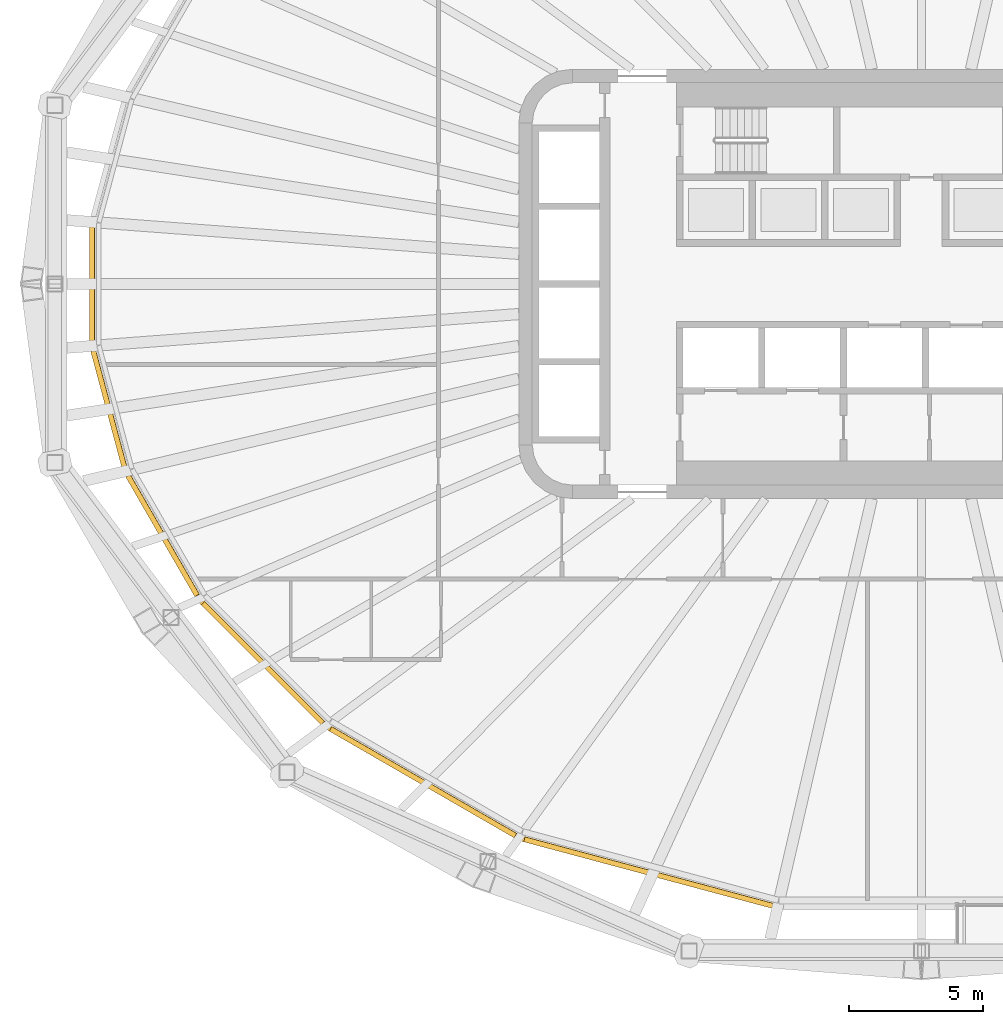
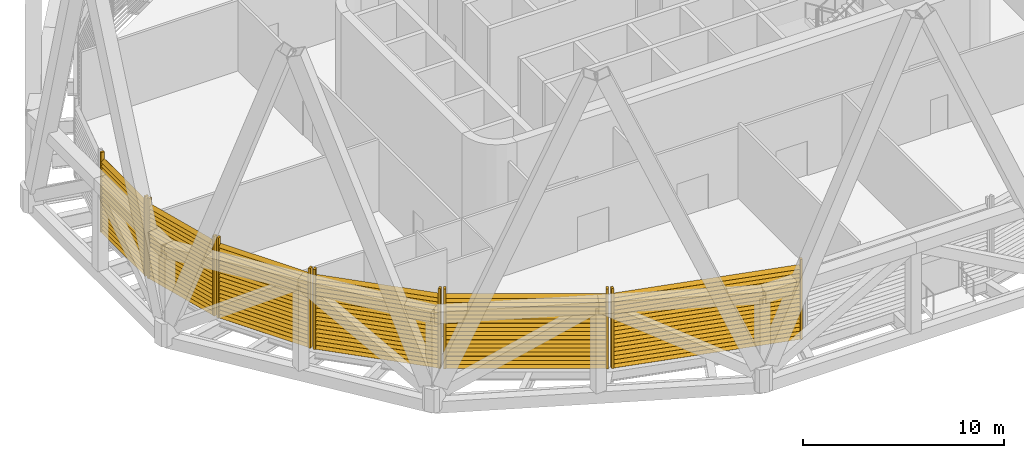
# One storey, part 12 of 18: 6 shading devices.
"""IFC4 building model written with IfcOpenShell, lengths in metres."""

from ifc_helpers import new_model, si_unit, direction, frame, origin, origin_2d, place, context, subcontext, project, spatial, rectangle, extrude, material, type_object, element, save


model = new_model("IFC4")

# Units and contexts
model_context = context("Model", 3, precision=1e-05, world=origin(), true_north=direction((0.0, 1.0)))
body_context = subcontext(model_context, "Body", "Model", "MODEL_VIEW")
ifc_project = project(units=[si_unit("LENGTHUNIT", "METRE"), si_unit("AREAUNIT", "SQUARE_METRE"), si_unit("VOLUMEUNIT", "CUBIC_METRE"), si_unit("PLANEANGLEUNIT", "RADIAN"), si_unit("MASSUNIT", "GRAM", prefix="KILO")], contexts=[model_context])

# Site, building, storey
site_placement = place(None, origin())
site = spatial("IfcSite", under=ifc_project, at=site_placement, CompositionType="ELEMENT")
building_placement = place(site_placement, origin())
building = spatial("IfcBuilding", under=site, at=building_placement, Name="Sahrelin Media Tower", CompositionType="ELEMENT")
storey_placement = place(building_placement, frame((0.0, 0.0, 197.60009765625)))
storey = spatial("IfcBuildingStorey", under=building, at=storey_placement, Name="L42", CompositionType="ELEMENT", Elevation=197.60009765625)

# Shading devices
ifc_material = material(Name="Champagne anodised aluminium 6063-T6", Category="aluminium")
shading_device_type = type_object("IfcShadingDeviceType", Name="Sand-rejection louvre band", PredefinedType="USERDEFINED", material=ifc_material)
shading_device_1_placement = place(storey_placement, frame((-30.7998046875, 0.0, 0.0), z_axis=(0.0, 0.0, 1.0), x_axis=(0.0, 1.0, 0.0)))
element("IfcShadingDevice", 1, at=shading_device_1_placement, inside=storey, type_object=shading_device_type, Name="L42:LOUVRE:L42-12", ObjectType="LOUVRE", PredefinedType="USERDEFINED", context=body_context, shape_type="SweptSolid", body=[
    extrude(rectangle(XDim=0.1201171875, YDim=0.199951171875, at=origin_2d()), frame((2.19189453125, 0.10009765625, 0.050048828125), z_axis=(0.0, 0.0, 1.0), x_axis=(1.0, 0.0, 0.0)), (0.0, 0.0, 1.0), 4.8486328125),
    extrude(rectangle(XDim=0.1201171875, YDim=0.199951171875, at=origin_2d()), frame((-2.19189453125, 0.10009765625, 0.050048828125), z_axis=(0.0, 0.0, 1.0), x_axis=(1.0, 0.0, 0.0)), (0.0, 0.0, 1.0), 4.8486328125),
    extrude(rectangle(XDim=0.25, YDim=0.02001953125, at=origin_2d()), frame((2.1318359375, 0.10009765625, 0.14990234375), z_axis=(-1.0, 0.0, 0.0), x_axis=(0.0, -0.766044443119, 0.642787609687)), (0.0, 0.0, 1.0), 4.263671875),
    extrude(rectangle(XDim=0.25, YDim=0.02001953125, at=origin_2d()), frame((2.1318359375, 0.10009765625, 0.39990234375), z_axis=(-1.0, 0.0, 0.0), x_axis=(0.0, -0.766044443119, 0.642787609687)), (0.0, 0.0, 1.0), 4.263671875),
    extrude(rectangle(XDim=0.25, YDim=0.02001953125, at=origin_2d()), frame((2.1318359375, 0.10009765625, 0.64990234375), z_axis=(-1.0, 0.0, 0.0), x_axis=(0.0, -0.766044443119, 0.642787609687)), (0.0, 0.0, 1.0), 4.263671875),
    extrude(rectangle(XDim=0.25, YDim=0.02001953125, at=origin_2d()), frame((2.1318359375, 0.10009765625, 0.89990234375), z_axis=(-1.0, 0.0, 0.0), x_axis=(0.0, -0.766044443119, 0.642787609687)), (0.0, 0.0, 1.0), 4.263671875),
    extrude(rectangle(XDim=0.25, YDim=0.02001953125, at=origin_2d()), frame((2.1318359375, 0.10009765625, 1.14990234375), z_axis=(-1.0, 0.0, 0.0), x_axis=(0.0, -0.766044443119, 0.642787609687)), (0.0, 0.0, 1.0), 4.263671875),
    extrude(rectangle(XDim=0.25, YDim=0.02001953125, at=origin_2d()), frame((2.1318359375, 0.10009765625, 1.39990234375), z_axis=(-1.0, 0.0, 0.0), x_axis=(0.0, -0.766044443119, 0.642787609687)), (0.0, 0.0, 1.0), 4.263671875),
    extrude(rectangle(XDim=0.25, YDim=0.02001953125, at=origin_2d()), frame((2.1318359375, 0.10009765625, 1.64990234375), z_axis=(-1.0, 0.0, 0.0), x_axis=(0.0, -0.766044443119, 0.642787609687)), (0.0, 0.0, 1.0), 4.263671875),
    extrude(rectangle(XDim=0.25, YDim=0.02001953125, at=origin_2d()), frame((2.1318359375, 0.10009765625, 1.89990234375), z_axis=(-1.0, 0.0, 0.0), x_axis=(0.0, -0.766044443119, 0.642787609687)), (0.0, 0.0, 1.0), 4.263671875),
    extrude(rectangle(XDim=0.25, YDim=0.02001953125, at=origin_2d()), frame((2.1318359375, 0.10009765625, 2.14990234375), z_axis=(-1.0, 0.0, 0.0), x_axis=(0.0, -0.766044443119, 0.642787609687)), (0.0, 0.0, 1.0), 4.263671875),
    extrude(rectangle(XDim=0.25, YDim=0.02001953125, at=origin_2d()), frame((2.1318359375, 0.10009765625, 2.39990234375), z_axis=(-1.0, 0.0, 0.0), x_axis=(0.0, -0.766044443119, 0.642787609687)), (0.0, 0.0, 1.0), 4.263671875),
    extrude(rectangle(XDim=0.25, YDim=0.02001953125, at=origin_2d()), frame((2.1318359375, 0.10009765625, 2.64990234375), z_axis=(-1.0, 0.0, 0.0), x_axis=(0.0, -0.766044443119, 0.642787609687)), (0.0, 0.0, 1.0), 4.263671875),
    extrude(rectangle(XDim=0.25, YDim=0.02001953125, at=origin_2d()), frame((2.1318359375, 0.10009765625, 2.89990234375), z_axis=(-1.0, 0.0, 0.0), x_axis=(0.0, -0.766044443119, 0.642787609687)), (0.0, 0.0, 1.0), 4.263671875),
    extrude(rectangle(XDim=0.25, YDim=0.02001953125, at=origin_2d()), frame((2.1318359375, 0.10009765625, 3.14990234375), z_axis=(-1.0, 0.0, 0.0), x_axis=(0.0, -0.766044443119, 0.642787609687)), (0.0, 0.0, 1.0), 4.263671875),
    extrude(rectangle(XDim=0.25, YDim=0.02001953125, at=origin_2d()), frame((2.1318359375, 0.10009765625, 3.39990234375), z_axis=(-1.0, 0.0, 0.0), x_axis=(0.0, -0.766044443119, 0.642787609687)), (0.0, 0.0, 1.0), 4.263671875),
    extrude(rectangle(XDim=0.25, YDim=0.02001953125, at=origin_2d()), frame((2.1318359375, 0.10009765625, 3.64990234375), z_axis=(-1.0, 0.0, 0.0), x_axis=(0.0, -0.766044443119, 0.642787609687)), (0.0, 0.0, 1.0), 4.263671875),
    extrude(rectangle(XDim=0.25, YDim=0.02001953125, at=origin_2d()), frame((2.1318359375, 0.10009765625, 3.89990234375), z_axis=(-1.0, 0.0, 0.0), x_axis=(0.0, -0.766044443119, 0.642787609687)), (0.0, 0.0, 1.0), 4.263671875),
    extrude(rectangle(XDim=0.25, YDim=0.02001953125, at=origin_2d()), frame((2.1318359375, 0.10009765625, 4.14990234375), z_axis=(-1.0, 0.0, 0.0), x_axis=(0.0, -0.766044443119, 0.642787609687)), (0.0, 0.0, 1.0), 4.263671875),
    extrude(rectangle(XDim=0.25, YDim=0.02001953125, at=origin_2d()), frame((2.1318359375, 0.10009765625, 4.39990234375), z_axis=(-1.0, 0.0, 0.0), x_axis=(0.0, -0.766044443119, 0.642787609687)), (0.0, 0.0, 1.0), 4.263671875),
])
shading_device_2_placement = place(storey_placement, frame((-30.176513671875, -4.627197265625, 0.0), z_axis=(0.0, 0.0, 1.0), x_axis=(-0.258807731996, 0.965928857556, 0.0)))
element("IfcShadingDevice", 2, at=shading_device_2_placement, inside=storey, type_object=shading_device_type, Name="L42:LOUVRE:L42-13", ObjectType="LOUVRE", PredefinedType="USERDEFINED", context=body_context, shape_type="SweptSolid", body=[
    extrude(rectangle(XDim=0.1201171875, YDim=0.199951171875, at=origin_2d()), frame((2.29736328125, 0.10009765625, 0.050048828125), z_axis=(0.0, 0.0, 1.0), x_axis=(1.0, 0.0, 0.0)), (0.0, 0.0, 1.0), 4.8486328125),
    extrude(rectangle(XDim=0.1201171875, YDim=0.199951171875, at=origin_2d()), frame((-2.29736328125, 0.10009765625, 0.050048828125), z_axis=(0.0, 0.0, 1.0), x_axis=(1.0, 0.0, 0.0)), (0.0, 0.0, 1.0), 4.8486328125),
    extrude(rectangle(XDim=0.25, YDim=0.02001953125, at=origin_2d()), frame((2.2373046875, 0.10009765625, 0.14990234375), z_axis=(-1.0, 0.0, 0.0), x_axis=(0.0, -0.766044443119, 0.642787609687)), (0.0, 0.0, 1.0), 4.474609375),
    extrude(rectangle(XDim=0.25, YDim=0.02001953125, at=origin_2d()), frame((2.2373046875, 0.10009765625, 0.39990234375), z_axis=(-1.0, 0.0, 0.0), x_axis=(0.0, -0.766044443119, 0.642787609687)), (0.0, 0.0, 1.0), 4.474609375),
    extrude(rectangle(XDim=0.25, YDim=0.02001953125, at=origin_2d()), frame((2.2373046875, 0.10009765625, 0.64990234375), z_axis=(-1.0, 0.0, 0.0), x_axis=(0.0, -0.766044443119, 0.642787609687)), (0.0, 0.0, 1.0), 4.474609375),
    extrude(rectangle(XDim=0.25, YDim=0.02001953125, at=origin_2d()), frame((2.2373046875, 0.10009765625, 0.89990234375), z_axis=(-1.0, 0.0, 0.0), x_axis=(0.0, -0.766044443119, 0.642787609687)), (0.0, 0.0, 1.0), 4.474609375),
    extrude(rectangle(XDim=0.25, YDim=0.02001953125, at=origin_2d()), frame((2.2373046875, 0.10009765625, 1.14990234375), z_axis=(-1.0, 0.0, 0.0), x_axis=(0.0, -0.766044443119, 0.642787609687)), (0.0, 0.0, 1.0), 4.474609375),
    extrude(rectangle(XDim=0.25, YDim=0.02001953125, at=origin_2d()), frame((2.2373046875, 0.10009765625, 1.39990234375), z_axis=(-1.0, 0.0, 0.0), x_axis=(0.0, -0.766044443119, 0.642787609687)), (0.0, 0.0, 1.0), 4.474609375),
    extrude(rectangle(XDim=0.25, YDim=0.02001953125, at=origin_2d()), frame((2.2373046875, 0.10009765625, 1.64990234375), z_axis=(-1.0, 0.0, 0.0), x_axis=(0.0, -0.766044443119, 0.642787609687)), (0.0, 0.0, 1.0), 4.474609375),
    extrude(rectangle(XDim=0.25, YDim=0.02001953125, at=origin_2d()), frame((2.2373046875, 0.10009765625, 1.89990234375), z_axis=(-1.0, 0.0, 0.0), x_axis=(0.0, -0.766044443119, 0.642787609687)), (0.0, 0.0, 1.0), 4.474609375),
    extrude(rectangle(XDim=0.25, YDim=0.02001953125, at=origin_2d()), frame((2.2373046875, 0.10009765625, 2.14990234375), z_axis=(-1.0, 0.0, 0.0), x_axis=(0.0, -0.766044443119, 0.642787609687)), (0.0, 0.0, 1.0), 4.474609375),
    extrude(rectangle(XDim=0.25, YDim=0.02001953125, at=origin_2d()), frame((2.2373046875, 0.10009765625, 2.39990234375), z_axis=(-1.0, 0.0, 0.0), x_axis=(0.0, -0.766044443119, 0.642787609687)), (0.0, 0.0, 1.0), 4.474609375),
    extrude(rectangle(XDim=0.25, YDim=0.02001953125, at=origin_2d()), frame((2.2373046875, 0.10009765625, 2.64990234375), z_axis=(-1.0, 0.0, 0.0), x_axis=(0.0, -0.766044443119, 0.642787609687)), (0.0, 0.0, 1.0), 4.474609375),
    extrude(rectangle(XDim=0.25, YDim=0.02001953125, at=origin_2d()), frame((2.2373046875, 0.10009765625, 2.89990234375), z_axis=(-1.0, 0.0, 0.0), x_axis=(0.0, -0.766044443119, 0.642787609687)), (0.0, 0.0, 1.0), 4.474609375),
    extrude(rectangle(XDim=0.25, YDim=0.02001953125, at=origin_2d()), frame((2.2373046875, 0.10009765625, 3.14990234375), z_axis=(-1.0, 0.0, 0.0), x_axis=(0.0, -0.766044443119, 0.642787609687)), (0.0, 0.0, 1.0), 4.474609375),
    extrude(rectangle(XDim=0.25, YDim=0.02001953125, at=origin_2d()), frame((2.2373046875, 0.10009765625, 3.39990234375), z_axis=(-1.0, 0.0, 0.0), x_axis=(0.0, -0.766044443119, 0.642787609687)), (0.0, 0.0, 1.0), 4.474609375),
    extrude(rectangle(XDim=0.25, YDim=0.02001953125, at=origin_2d()), frame((2.2373046875, 0.10009765625, 3.64990234375), z_axis=(-1.0, 0.0, 0.0), x_axis=(0.0, -0.766044443119, 0.642787609687)), (0.0, 0.0, 1.0), 4.474609375),
    extrude(rectangle(XDim=0.25, YDim=0.02001953125, at=origin_2d()), frame((2.2373046875, 0.10009765625, 3.89990234375), z_axis=(-1.0, 0.0, 0.0), x_axis=(0.0, -0.766044443119, 0.642787609687)), (0.0, 0.0, 1.0), 4.474609375),
    extrude(rectangle(XDim=0.25, YDim=0.02001953125, at=origin_2d()), frame((2.2373046875, 0.10009765625, 4.14990234375), z_axis=(-1.0, 0.0, 0.0), x_axis=(0.0, -0.766044443119, 0.642787609687)), (0.0, 0.0, 1.0), 4.474609375),
    extrude(rectangle(XDim=0.25, YDim=0.02001953125, at=origin_2d()), frame((2.2373046875, 0.10009765625, 4.39990234375), z_axis=(-1.0, 0.0, 0.0), x_axis=(0.0, -0.766044443119, 0.642787609687)), (0.0, 0.0, 1.0), 4.474609375),
])
shading_device_3_placement = place(storey_placement, frame((-28.18408203125, -9.32470703125, 0.0), z_axis=(0.0, 0.0, 1.0), x_axis=(-0.500011000363, 0.866019052629, 0.0)))
element("IfcShadingDevice", 3, at=shading_device_3_placement, inside=storey, type_object=shading_device_type, Name="L42:LOUVRE:L42-14", ObjectType="LOUVRE", PredefinedType="USERDEFINED", context=body_context, shape_type="SweptSolid", body=[
    extrude(rectangle(XDim=0.1201171875, YDim=0.199951171875, at=origin_2d()), frame((2.62890625, 0.10009765625, 0.050048828125), z_axis=(0.0, 0.0, 1.0), x_axis=(1.0, 0.0, 0.0)), (0.0, 0.0, 1.0), 4.8486328125),
    extrude(rectangle(XDim=0.1201171875, YDim=0.199951171875, at=origin_2d()), frame((-2.62890625, 0.10009765625, 0.050048828125), z_axis=(0.0, 0.0, 1.0), x_axis=(1.0, 0.0, 0.0)), (0.0, 0.0, 1.0), 4.8486328125),
    extrude(rectangle(XDim=0.25, YDim=0.02001953125, at=origin_2d()), frame((2.569091796875, 0.10009765625, 0.14990234375), z_axis=(-1.0, 0.0, 0.0), x_axis=(0.0, -0.766044443119, 0.642787609687)), (0.0, 0.0, 1.0), 5.13818359375),
    extrude(rectangle(XDim=0.25, YDim=0.02001953125, at=origin_2d()), frame((2.569091796875, 0.10009765625, 0.39990234375), z_axis=(-1.0, 0.0, 0.0), x_axis=(0.0, -0.766044443119, 0.642787609687)), (0.0, 0.0, 1.0), 5.13818359375),
    extrude(rectangle(XDim=0.25, YDim=0.02001953125, at=origin_2d()), frame((2.569091796875, 0.10009765625, 0.64990234375), z_axis=(-1.0, 0.0, 0.0), x_axis=(0.0, -0.766044443119, 0.642787609687)), (0.0, 0.0, 1.0), 5.13818359375),
    extrude(rectangle(XDim=0.25, YDim=0.02001953125, at=origin_2d()), frame((2.569091796875, 0.10009765625, 0.89990234375), z_axis=(-1.0, 0.0, 0.0), x_axis=(0.0, -0.766044443119, 0.642787609687)), (0.0, 0.0, 1.0), 5.13818359375),
    extrude(rectangle(XDim=0.25, YDim=0.02001953125, at=origin_2d()), frame((2.569091796875, 0.10009765625, 1.14990234375), z_axis=(-1.0, 0.0, 0.0), x_axis=(0.0, -0.766044443119, 0.642787609687)), (0.0, 0.0, 1.0), 5.13818359375),
    extrude(rectangle(XDim=0.25, YDim=0.02001953125, at=origin_2d()), frame((2.569091796875, 0.10009765625, 1.39990234375), z_axis=(-1.0, 0.0, 0.0), x_axis=(0.0, -0.766044443119, 0.642787609687)), (0.0, 0.0, 1.0), 5.13818359375),
    extrude(rectangle(XDim=0.25, YDim=0.02001953125, at=origin_2d()), frame((2.569091796875, 0.10009765625, 1.64990234375), z_axis=(-1.0, 0.0, 0.0), x_axis=(0.0, -0.766044443119, 0.642787609687)), (0.0, 0.0, 1.0), 5.13818359375),
    extrude(rectangle(XDim=0.25, YDim=0.02001953125, at=origin_2d()), frame((2.569091796875, 0.10009765625, 1.89990234375), z_axis=(-1.0, 0.0, 0.0), x_axis=(0.0, -0.766044443119, 0.642787609687)), (0.0, 0.0, 1.0), 5.13818359375),
    extrude(rectangle(XDim=0.25, YDim=0.02001953125, at=origin_2d()), frame((2.569091796875, 0.10009765625, 2.14990234375), z_axis=(-1.0, 0.0, 0.0), x_axis=(0.0, -0.766044443119, 0.642787609687)), (0.0, 0.0, 1.0), 5.13818359375),
    extrude(rectangle(XDim=0.25, YDim=0.02001953125, at=origin_2d()), frame((2.569091796875, 0.10009765625, 2.39990234375), z_axis=(-1.0, 0.0, 0.0), x_axis=(0.0, -0.766044443119, 0.642787609687)), (0.0, 0.0, 1.0), 5.13818359375),
    extrude(rectangle(XDim=0.25, YDim=0.02001953125, at=origin_2d()), frame((2.569091796875, 0.10009765625, 2.64990234375), z_axis=(-1.0, 0.0, 0.0), x_axis=(0.0, -0.766044443119, 0.642787609687)), (0.0, 0.0, 1.0), 5.13818359375),
    extrude(rectangle(XDim=0.25, YDim=0.02001953125, at=origin_2d()), frame((2.569091796875, 0.10009765625, 2.89990234375), z_axis=(-1.0, 0.0, 0.0), x_axis=(0.0, -0.766044443119, 0.642787609687)), (0.0, 0.0, 1.0), 5.13818359375),
    extrude(rectangle(XDim=0.25, YDim=0.02001953125, at=origin_2d()), frame((2.569091796875, 0.10009765625, 3.14990234375), z_axis=(-1.0, 0.0, 0.0), x_axis=(0.0, -0.766044443119, 0.642787609687)), (0.0, 0.0, 1.0), 5.13818359375),
    extrude(rectangle(XDim=0.25, YDim=0.02001953125, at=origin_2d()), frame((2.569091796875, 0.10009765625, 3.39990234375), z_axis=(-1.0, 0.0, 0.0), x_axis=(0.0, -0.766044443119, 0.642787609687)), (0.0, 0.0, 1.0), 5.13818359375),
    extrude(rectangle(XDim=0.25, YDim=0.02001953125, at=origin_2d()), frame((2.569091796875, 0.10009765625, 3.64990234375), z_axis=(-1.0, 0.0, 0.0), x_axis=(0.0, -0.766044443119, 0.642787609687)), (0.0, 0.0, 1.0), 5.13818359375),
    extrude(rectangle(XDim=0.25, YDim=0.02001953125, at=origin_2d()), frame((2.569091796875, 0.10009765625, 3.89990234375), z_axis=(-1.0, 0.0, 0.0), x_axis=(0.0, -0.766044443119, 0.642787609687)), (0.0, 0.0, 1.0), 5.13818359375),
    extrude(rectangle(XDim=0.25, YDim=0.02001953125, at=origin_2d()), frame((2.569091796875, 0.10009765625, 4.14990234375), z_axis=(-1.0, 0.0, 0.0), x_axis=(0.0, -0.766044443119, 0.642787609687)), (0.0, 0.0, 1.0), 5.13818359375),
    extrude(rectangle(XDim=0.25, YDim=0.02001953125, at=origin_2d()), frame((2.569091796875, 0.10009765625, 4.39990234375), z_axis=(-1.0, 0.0, 0.0), x_axis=(0.0, -0.766044443119, 0.642787609687)), (0.0, 0.0, 1.0), 5.13818359375),
])
shading_device_4_placement = place(storey_placement, frame((-24.4619140625, -14.04931640625, 0.0), z_axis=(0.0, 0.0, 1.0), x_axis=(-0.707106781187, 0.707106781187, 0.0)))
element("IfcShadingDevice", 4, at=shading_device_4_placement, inside=storey, type_object=shading_device_type, Name="L42:LOUVRE:L42-15", ObjectType="LOUVRE", PredefinedType="USERDEFINED", context=body_context, shape_type="SweptSolid", body=[
    extrude(rectangle(XDim=0.1201171875, YDim=0.199951171875, at=origin_2d()), frame((3.21728515625, 0.10009765625, 0.050048828125), z_axis=(0.0, 0.0, 1.0), x_axis=(1.0, 0.0, 0.0)), (0.0, 0.0, 1.0), 4.8486328125),
    extrude(rectangle(XDim=0.1201171875, YDim=0.199951171875, at=origin_2d()), frame((-3.21728515625, 0.10009765625, 0.050048828125), z_axis=(0.0, 0.0, 1.0), x_axis=(1.0, 0.0, 0.0)), (0.0, 0.0, 1.0), 4.8486328125),
    extrude(rectangle(XDim=0.25, YDim=0.02001953125, at=origin_2d()), frame((3.1572265625, 0.10009765625, 0.14990234375), z_axis=(-1.0, 0.0, 0.0), x_axis=(0.0, -0.766044443119, 0.642787609687)), (0.0, 0.0, 1.0), 6.314453125),
    extrude(rectangle(XDim=0.25, YDim=0.02001953125, at=origin_2d()), frame((3.1572265625, 0.10009765625, 0.39990234375), z_axis=(-1.0, 0.0, 0.0), x_axis=(0.0, -0.766044443119, 0.642787609687)), (0.0, 0.0, 1.0), 6.314453125),
    extrude(rectangle(XDim=0.25, YDim=0.02001953125, at=origin_2d()), frame((3.1572265625, 0.10009765625, 0.64990234375), z_axis=(-1.0, 0.0, 0.0), x_axis=(0.0, -0.766044443119, 0.642787609687)), (0.0, 0.0, 1.0), 6.314453125),
    extrude(rectangle(XDim=0.25, YDim=0.02001953125, at=origin_2d()), frame((3.1572265625, 0.10009765625, 0.89990234375), z_axis=(-1.0, 0.0, 0.0), x_axis=(0.0, -0.766044443119, 0.642787609687)), (0.0, 0.0, 1.0), 6.314453125),
    extrude(rectangle(XDim=0.25, YDim=0.02001953125, at=origin_2d()), frame((3.1572265625, 0.10009765625, 1.14990234375), z_axis=(-1.0, 0.0, 0.0), x_axis=(0.0, -0.766044443119, 0.642787609687)), (0.0, 0.0, 1.0), 6.314453125),
    extrude(rectangle(XDim=0.25, YDim=0.02001953125, at=origin_2d()), frame((3.1572265625, 0.10009765625, 1.39990234375), z_axis=(-1.0, 0.0, 0.0), x_axis=(0.0, -0.766044443119, 0.642787609687)), (0.0, 0.0, 1.0), 6.314453125),
    extrude(rectangle(XDim=0.25, YDim=0.02001953125, at=origin_2d()), frame((3.1572265625, 0.10009765625, 1.64990234375), z_axis=(-1.0, 0.0, 0.0), x_axis=(0.0, -0.766044443119, 0.642787609687)), (0.0, 0.0, 1.0), 6.314453125),
    extrude(rectangle(XDim=0.25, YDim=0.02001953125, at=origin_2d()), frame((3.1572265625, 0.10009765625, 1.89990234375), z_axis=(-1.0, 0.0, 0.0), x_axis=(0.0, -0.766044443119, 0.642787609687)), (0.0, 0.0, 1.0), 6.314453125),
    extrude(rectangle(XDim=0.25, YDim=0.02001953125, at=origin_2d()), frame((3.1572265625, 0.10009765625, 2.14990234375), z_axis=(-1.0, 0.0, 0.0), x_axis=(0.0, -0.766044443119, 0.642787609687)), (0.0, 0.0, 1.0), 6.314453125),
    extrude(rectangle(XDim=0.25, YDim=0.02001953125, at=origin_2d()), frame((3.1572265625, 0.10009765625, 2.39990234375), z_axis=(-1.0, 0.0, 0.0), x_axis=(0.0, -0.766044443119, 0.642787609687)), (0.0, 0.0, 1.0), 6.314453125),
    extrude(rectangle(XDim=0.25, YDim=0.02001953125, at=origin_2d()), frame((3.1572265625, 0.10009765625, 2.64990234375), z_axis=(-1.0, 0.0, 0.0), x_axis=(0.0, -0.766044443119, 0.642787609687)), (0.0, 0.0, 1.0), 6.314453125),
    extrude(rectangle(XDim=0.25, YDim=0.02001953125, at=origin_2d()), frame((3.1572265625, 0.10009765625, 2.89990234375), z_axis=(-1.0, 0.0, 0.0), x_axis=(0.0, -0.766044443119, 0.642787609687)), (0.0, 0.0, 1.0), 6.314453125),
    extrude(rectangle(XDim=0.25, YDim=0.02001953125, at=origin_2d()), frame((3.1572265625, 0.10009765625, 3.14990234375), z_axis=(-1.0, 0.0, 0.0), x_axis=(0.0, -0.766044443119, 0.642787609687)), (0.0, 0.0, 1.0), 6.314453125),
    extrude(rectangle(XDim=0.25, YDim=0.02001953125, at=origin_2d()), frame((3.1572265625, 0.10009765625, 3.39990234375), z_axis=(-1.0, 0.0, 0.0), x_axis=(0.0, -0.766044443119, 0.642787609687)), (0.0, 0.0, 1.0), 6.314453125),
    extrude(rectangle(XDim=0.25, YDim=0.02001953125, at=origin_2d()), frame((3.1572265625, 0.10009765625, 3.64990234375), z_axis=(-1.0, 0.0, 0.0), x_axis=(0.0, -0.766044443119, 0.642787609687)), (0.0, 0.0, 1.0), 6.314453125),
    extrude(rectangle(XDim=0.25, YDim=0.02001953125, at=origin_2d()), frame((3.1572265625, 0.10009765625, 3.89990234375), z_axis=(-1.0, 0.0, 0.0), x_axis=(0.0, -0.766044443119, 0.642787609687)), (0.0, 0.0, 1.0), 6.314453125),
    extrude(rectangle(XDim=0.25, YDim=0.02001953125, at=origin_2d()), frame((3.1572265625, 0.10009765625, 4.14990234375), z_axis=(-1.0, 0.0, 0.0), x_axis=(0.0, -0.766044443119, 0.642787609687)), (0.0, 0.0, 1.0), 6.314453125),
    extrude(rectangle(XDim=0.25, YDim=0.02001953125, at=origin_2d()), frame((3.1572265625, 0.10009765625, 4.39990234375), z_axis=(-1.0, 0.0, 0.0), x_axis=(0.0, -0.766044443119, 0.642787609687)), (0.0, 0.0, 1.0), 6.314453125),
])
shading_device_5_placement = place(storey_placement, frame((-18.518798828125, -18.47509765625, 0.0), z_axis=(0.0, 0.0, 1.0), x_axis=(-0.866019052629, 0.500011000363, 0.0)))
element("IfcShadingDevice", 5, at=shading_device_5_placement, inside=storey, type_object=shading_device_type, Name="L42:LOUVRE:L42-16", ObjectType="LOUVRE", PredefinedType="USERDEFINED", context=body_context, shape_type="SweptSolid", body=[
    extrude(rectangle(XDim=0.1201171875, YDim=0.199951171875, at=origin_2d()), frame((4.035888671875, 0.10009765625, 0.050048828125), z_axis=(0.0, 0.0, 1.0), x_axis=(1.0, 0.0, 0.0)), (0.0, 0.0, 1.0), 4.8486328125),
    extrude(rectangle(XDim=0.1201171875, YDim=0.199951171875, at=origin_2d()), frame((-4.035888671875, 0.10009765625, 0.050048828125), z_axis=(0.0, 0.0, 1.0), x_axis=(1.0, 0.0, 0.0)), (0.0, 0.0, 1.0), 4.8486328125),
    extrude(rectangle(XDim=0.25, YDim=0.02001953125, at=origin_2d()), frame((3.975830078125, 0.10009765625, 0.14990234375), z_axis=(-1.0, 0.0, 0.0), x_axis=(0.0, -0.766044443119, 0.642787609687)), (0.0, 0.0, 1.0), 7.95166015625),
    extrude(rectangle(XDim=0.25, YDim=0.02001953125, at=origin_2d()), frame((3.975830078125, 0.10009765625, 0.39990234375), z_axis=(-1.0, 0.0, 0.0), x_axis=(0.0, -0.766044443119, 0.642787609687)), (0.0, 0.0, 1.0), 7.95166015625),
    extrude(rectangle(XDim=0.25, YDim=0.02001953125, at=origin_2d()), frame((3.975830078125, 0.10009765625, 0.64990234375), z_axis=(-1.0, 0.0, 0.0), x_axis=(0.0, -0.766044443119, 0.642787609687)), (0.0, 0.0, 1.0), 7.95166015625),
    extrude(rectangle(XDim=0.25, YDim=0.02001953125, at=origin_2d()), frame((3.975830078125, 0.10009765625, 0.89990234375), z_axis=(-1.0, 0.0, 0.0), x_axis=(0.0, -0.766044443119, 0.642787609687)), (0.0, 0.0, 1.0), 7.95166015625),
    extrude(rectangle(XDim=0.25, YDim=0.02001953125, at=origin_2d()), frame((3.975830078125, 0.10009765625, 1.14990234375), z_axis=(-1.0, 0.0, 0.0), x_axis=(0.0, -0.766044443119, 0.642787609687)), (0.0, 0.0, 1.0), 7.95166015625),
    extrude(rectangle(XDim=0.25, YDim=0.02001953125, at=origin_2d()), frame((3.975830078125, 0.10009765625, 1.39990234375), z_axis=(-1.0, 0.0, 0.0), x_axis=(0.0, -0.766044443119, 0.642787609687)), (0.0, 0.0, 1.0), 7.95166015625),
    extrude(rectangle(XDim=0.25, YDim=0.02001953125, at=origin_2d()), frame((3.975830078125, 0.10009765625, 1.64990234375), z_axis=(-1.0, 0.0, 0.0), x_axis=(0.0, -0.766044443119, 0.642787609687)), (0.0, 0.0, 1.0), 7.95166015625),
    extrude(rectangle(XDim=0.25, YDim=0.02001953125, at=origin_2d()), frame((3.975830078125, 0.10009765625, 1.89990234375), z_axis=(-1.0, 0.0, 0.0), x_axis=(0.0, -0.766044443119, 0.642787609687)), (0.0, 0.0, 1.0), 7.95166015625),
    extrude(rectangle(XDim=0.25, YDim=0.02001953125, at=origin_2d()), frame((3.975830078125, 0.10009765625, 2.14990234375), z_axis=(-1.0, 0.0, 0.0), x_axis=(0.0, -0.766044443119, 0.642787609687)), (0.0, 0.0, 1.0), 7.95166015625),
    extrude(rectangle(XDim=0.25, YDim=0.02001953125, at=origin_2d()), frame((3.975830078125, 0.10009765625, 2.39990234375), z_axis=(-1.0, 0.0, 0.0), x_axis=(0.0, -0.766044443119, 0.642787609687)), (0.0, 0.0, 1.0), 7.95166015625),
    extrude(rectangle(XDim=0.25, YDim=0.02001953125, at=origin_2d()), frame((3.975830078125, 0.10009765625, 2.64990234375), z_axis=(-1.0, 0.0, 0.0), x_axis=(0.0, -0.766044443119, 0.642787609687)), (0.0, 0.0, 1.0), 7.95166015625),
    extrude(rectangle(XDim=0.25, YDim=0.02001953125, at=origin_2d()), frame((3.975830078125, 0.10009765625, 2.89990234375), z_axis=(-1.0, 0.0, 0.0), x_axis=(0.0, -0.766044443119, 0.642787609687)), (0.0, 0.0, 1.0), 7.95166015625),
    extrude(rectangle(XDim=0.25, YDim=0.02001953125, at=origin_2d()), frame((3.975830078125, 0.10009765625, 3.14990234375), z_axis=(-1.0, 0.0, 0.0), x_axis=(0.0, -0.766044443119, 0.642787609687)), (0.0, 0.0, 1.0), 7.95166015625),
    extrude(rectangle(XDim=0.25, YDim=0.02001953125, at=origin_2d()), frame((3.975830078125, 0.10009765625, 3.39990234375), z_axis=(-1.0, 0.0, 0.0), x_axis=(0.0, -0.766044443119, 0.642787609687)), (0.0, 0.0, 1.0), 7.95166015625),
    extrude(rectangle(XDim=0.25, YDim=0.02001953125, at=origin_2d()), frame((3.975830078125, 0.10009765625, 3.64990234375), z_axis=(-1.0, 0.0, 0.0), x_axis=(0.0, -0.766044443119, 0.642787609687)), (0.0, 0.0, 1.0), 7.95166015625),
    extrude(rectangle(XDim=0.25, YDim=0.02001953125, at=origin_2d()), frame((3.975830078125, 0.10009765625, 3.89990234375), z_axis=(-1.0, 0.0, 0.0), x_axis=(0.0, -0.766044443119, 0.642787609687)), (0.0, 0.0, 1.0), 7.95166015625),
    extrude(rectangle(XDim=0.25, YDim=0.02001953125, at=origin_2d()), frame((3.975830078125, 0.10009765625, 4.14990234375), z_axis=(-1.0, 0.0, 0.0), x_axis=(0.0, -0.766044443119, 0.642787609687)), (0.0, 0.0, 1.0), 7.95166015625),
    extrude(rectangle(XDim=0.25, YDim=0.02001953125, at=origin_2d()), frame((3.975830078125, 0.10009765625, 4.39990234375), z_axis=(-1.0, 0.0, 0.0), x_axis=(0.0, -0.766044443119, 0.642787609687)), (0.0, 0.0, 1.0), 7.95166015625),
])
shading_device_6_placement = place(storey_placement, frame((-10.13037109375, -21.83349609375, 0.0), z_axis=(0.0, 0.0, 1.0), x_axis=(-0.965928857556, 0.258807731996, 0.0)))
element("IfcShadingDevice", 6, at=shading_device_6_placement, inside=storey, type_object=shading_device_type, Name="L42:LOUVRE:L42-17", ObjectType="LOUVRE", PredefinedType="USERDEFINED", context=body_context, shape_type="SweptSolid", body=[
    extrude(rectangle(XDim=0.1201171875, YDim=0.199951171875, at=origin_2d()), frame((4.857177734375, 0.10009765625, 0.050048828125), z_axis=(0.0, 0.0, 1.0), x_axis=(1.0, 0.0, 0.0)), (0.0, 0.0, 1.0), 4.8486328125),
    extrude(rectangle(XDim=0.1201171875, YDim=0.199951171875, at=origin_2d()), frame((-4.857177734375, 0.10009765625, 0.050048828125), z_axis=(0.0, 0.0, 1.0), x_axis=(1.0, 0.0, 0.0)), (0.0, 0.0, 1.0), 4.8486328125),
    extrude(rectangle(XDim=0.25, YDim=0.02001953125, at=origin_2d()), frame((4.797119140625, 0.10009765625, 0.14990234375), z_axis=(-1.0, 0.0, 0.0), x_axis=(0.0, -0.766044443119, 0.642787609687)), (0.0, 0.0, 1.0), 9.59423828125),
    extrude(rectangle(XDim=0.25, YDim=0.02001953125, at=origin_2d()), frame((4.797119140625, 0.10009765625, 0.39990234375), z_axis=(-1.0, 0.0, 0.0), x_axis=(0.0, -0.766044443119, 0.642787609687)), (0.0, 0.0, 1.0), 9.59423828125),
    extrude(rectangle(XDim=0.25, YDim=0.02001953125, at=origin_2d()), frame((4.797119140625, 0.10009765625, 0.64990234375), z_axis=(-1.0, 0.0, 0.0), x_axis=(0.0, -0.766044443119, 0.642787609687)), (0.0, 0.0, 1.0), 9.59423828125),
    extrude(rectangle(XDim=0.25, YDim=0.02001953125, at=origin_2d()), frame((4.797119140625, 0.10009765625, 0.89990234375), z_axis=(-1.0, 0.0, 0.0), x_axis=(0.0, -0.766044443119, 0.642787609687)), (0.0, 0.0, 1.0), 9.59423828125),
    extrude(rectangle(XDim=0.25, YDim=0.02001953125, at=origin_2d()), frame((4.797119140625, 0.10009765625, 1.14990234375), z_axis=(-1.0, 0.0, 0.0), x_axis=(0.0, -0.766044443119, 0.642787609687)), (0.0, 0.0, 1.0), 9.59423828125),
    extrude(rectangle(XDim=0.25, YDim=0.02001953125, at=origin_2d()), frame((4.797119140625, 0.10009765625, 1.39990234375), z_axis=(-1.0, 0.0, 0.0), x_axis=(0.0, -0.766044443119, 0.642787609687)), (0.0, 0.0, 1.0), 9.59423828125),
    extrude(rectangle(XDim=0.25, YDim=0.02001953125, at=origin_2d()), frame((4.797119140625, 0.10009765625, 1.64990234375), z_axis=(-1.0, 0.0, 0.0), x_axis=(0.0, -0.766044443119, 0.642787609687)), (0.0, 0.0, 1.0), 9.59423828125),
    extrude(rectangle(XDim=0.25, YDim=0.02001953125, at=origin_2d()), frame((4.797119140625, 0.10009765625, 1.89990234375), z_axis=(-1.0, 0.0, 0.0), x_axis=(0.0, -0.766044443119, 0.642787609687)), (0.0, 0.0, 1.0), 9.59423828125),
    extrude(rectangle(XDim=0.25, YDim=0.02001953125, at=origin_2d()), frame((4.797119140625, 0.10009765625, 2.14990234375), z_axis=(-1.0, 0.0, 0.0), x_axis=(0.0, -0.766044443119, 0.642787609687)), (0.0, 0.0, 1.0), 9.59423828125),
    extrude(rectangle(XDim=0.25, YDim=0.02001953125, at=origin_2d()), frame((4.797119140625, 0.10009765625, 2.39990234375), z_axis=(-1.0, 0.0, 0.0), x_axis=(0.0, -0.766044443119, 0.642787609687)), (0.0, 0.0, 1.0), 9.59423828125),
    extrude(rectangle(XDim=0.25, YDim=0.02001953125, at=origin_2d()), frame((4.797119140625, 0.10009765625, 2.64990234375), z_axis=(-1.0, 0.0, 0.0), x_axis=(0.0, -0.766044443119, 0.642787609687)), (0.0, 0.0, 1.0), 9.59423828125),
    extrude(rectangle(XDim=0.25, YDim=0.02001953125, at=origin_2d()), frame((4.797119140625, 0.10009765625, 2.89990234375), z_axis=(-1.0, 0.0, 0.0), x_axis=(0.0, -0.766044443119, 0.642787609687)), (0.0, 0.0, 1.0), 9.59423828125),
    extrude(rectangle(XDim=0.25, YDim=0.02001953125, at=origin_2d()), frame((4.797119140625, 0.10009765625, 3.14990234375), z_axis=(-1.0, 0.0, 0.0), x_axis=(0.0, -0.766044443119, 0.642787609687)), (0.0, 0.0, 1.0), 9.59423828125),
    extrude(rectangle(XDim=0.25, YDim=0.02001953125, at=origin_2d()), frame((4.797119140625, 0.10009765625, 3.39990234375), z_axis=(-1.0, 0.0, 0.0), x_axis=(0.0, -0.766044443119, 0.642787609687)), (0.0, 0.0, 1.0), 9.59423828125),
    extrude(rectangle(XDim=0.25, YDim=0.02001953125, at=origin_2d()), frame((4.797119140625, 0.10009765625, 3.64990234375), z_axis=(-1.0, 0.0, 0.0), x_axis=(0.0, -0.766044443119, 0.642787609687)), (0.0, 0.0, 1.0), 9.59423828125),
    extrude(rectangle(XDim=0.25, YDim=0.02001953125, at=origin_2d()), frame((4.797119140625, 0.10009765625, 3.89990234375), z_axis=(-1.0, 0.0, 0.0), x_axis=(0.0, -0.766044443119, 0.642787609687)), (0.0, 0.0, 1.0), 9.59423828125),
    extrude(rectangle(XDim=0.25, YDim=0.02001953125, at=origin_2d()), frame((4.797119140625, 0.10009765625, 4.14990234375), z_axis=(-1.0, 0.0, 0.0), x_axis=(0.0, -0.766044443119, 0.642787609687)), (0.0, 0.0, 1.0), 9.59423828125),
    extrude(rectangle(XDim=0.25, YDim=0.02001953125, at=origin_2d()), frame((4.797119140625, 0.10009765625, 4.39990234375), z_axis=(-1.0, 0.0, 0.0), x_axis=(0.0, -0.766044443119, 0.642787609687)), (0.0, 0.0, 1.0), 9.59423828125),
])

save(model, "model.ifc")
